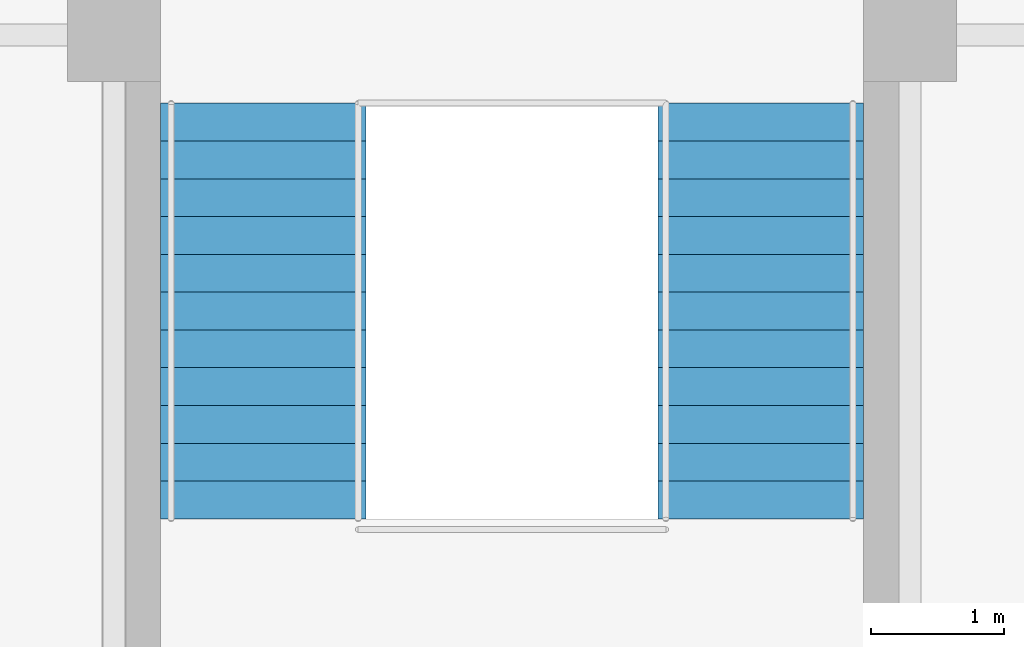
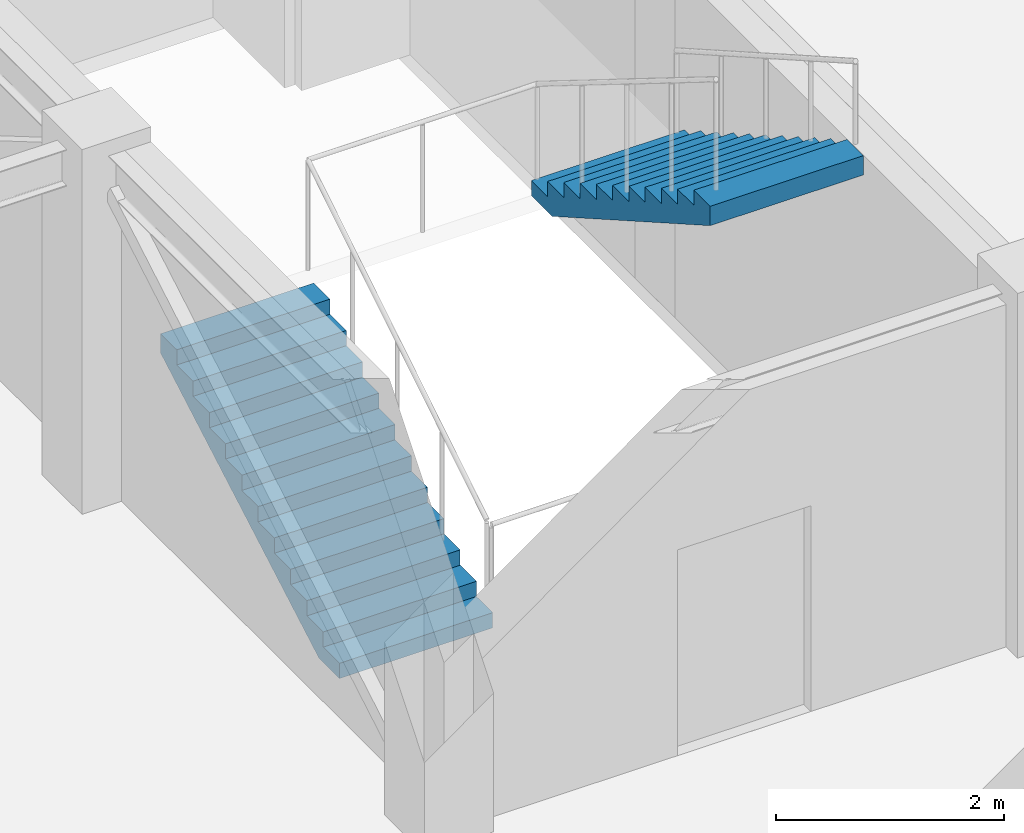
# One storey, part 12 of 13: 2 stair flights, 1 element without a shape of its own.
"""IFC4 building model written with IfcOpenShell, lengths in metres."""

from ifc_helpers import new_model, si_unit, direction, frame, origin, place, context, subcontext, project, spatial, polyline, outline, extrude, material, type_object, element, aggregate, save


model = new_model("IFC4")

# Units and contexts
model_context = context("Model", 3, precision=1e-05, world=origin(), true_north=direction((0.0, 1.0)))
body_context = subcontext(model_context, "Body", "Model", "MODEL_VIEW")
ifc_project = project(units=[si_unit("LENGTHUNIT", "METRE"), si_unit("AREAUNIT", "SQUARE_METRE"), si_unit("VOLUMEUNIT", "CUBIC_METRE"), si_unit("PLANEANGLEUNIT", "RADIAN"), si_unit("MASSUNIT", "GRAM", prefix="KILO")], contexts=[model_context])

# Site, building, storey
site_placement = place(None, origin())
site = spatial("IfcSite", under=ifc_project, at=site_placement, CompositionType="ELEMENT")
building_placement = place(site_placement, origin())
building = spatial("IfcBuilding", under=site, at=building_placement, Name="Zlatovratsky Civic Hall", CompositionType="ELEMENT")
storey_placement = place(building_placement, frame((0.0, 0.0, 44.39990234375)))
storey = spatial("IfcBuildingStorey", under=building, at=storey_placement, Name="L11", CompositionType="ELEMENT", Elevation=44.39990234375)

# Stair, stair flights
ifc_material = material(Name="Concrete C30/37 (B35)", Category="concrete")
stair_type = type_object("IfcStairType", Name="Stair_HALF_24R_1550W_04", PredefinedType="HALF_TURN_STAIR", material=ifc_material)
stair_placement = place(storey_placement, origin())
stair = element("IfcStair", 1, at=stair_placement, inside=storey, type_object=stair_type, Name="ST-031", PredefinedType="HALF_TURN_STAIR")
stair_flight_type = type_object("IfcStairFlightType", Name="StairFlight_12R_1550W_04", PredefinedType="STRAIGHT", material=ifc_material)
stair_flight_1_placement = place(storey_placement, frame((97.125, 86.35009765625, 0.0), z_axis=(0.0, 0.0, 1.0), x_axis=(0.0, 1.0, 0.0)))
stair_flight_1 = element("IfcStairFlight", 2, at=stair_flight_1_placement, type_object=stair_flight_type, Name="ST-031-F1", NumberOfRisers=12, NumberOfTreads=11, PredefinedType="STRAIGHT", RiserHeight=0.1625, TreadLength=0.285, context=body_context, shape_type="SweptSolid", body=[
    extrude(outline(polyline([(0.0, 0.0), (0.0, 0.16259765625), (0.284912109375, 0.16259765625), (0.284912109375, 0.324951171875), (0.570068359375, 0.324951171875), (0.570068359375, 0.487548828125), (0.85498046875, 0.487548828125), (0.85498046875, 0.64990234375), (1.139892578125, 0.64990234375), (1.139892578125, 0.8125), (1.425048828125, 0.8125), (1.425048828125, 0.97509765625), (1.7099609375, 0.97509765625), (1.7099609375, 1.137451171875), (1.9951171875, 1.137451171875), (1.9951171875, 1.300048828125), (2.280029296875, 1.300048828125), (2.280029296875, 1.46240234375), (2.56494140625, 1.46240234375), (2.56494140625, 1.625), (2.85009765625, 1.625), (2.85009765625, 1.78759765625), (3.135009765625, 1.78759765625), (3.135009765625, 1.949951171875), (3.135009765625, 1.580322265625), (0.36328125, 0.0), (0.0, 0.0)])), frame((0.0, 0.77490234375, 0.0), z_axis=(0.0, -1.0, 0.0), x_axis=(1.0, 0.0, 0.0)), (0.0, 0.0, 1.0), 1.550048828125),
])
stair_flight_2_placement = place(storey_placement, frame((100.875, 89.485107421875, 1.9501953125), z_axis=(0.0, 0.0, 1.0), x_axis=(0.0, -1.0, 0.0)))
stair_flight_2 = element("IfcStairFlight", 3, at=stair_flight_2_placement, type_object=stair_flight_type, Name="ST-031-F2", NumberOfRisers=12, NumberOfTreads=11, PredefinedType="STRAIGHT", RiserHeight=0.1625, TreadLength=0.285, context=body_context, shape_type="SweptSolid", body=[
    extrude(outline(polyline([(0.0, 0.0), (0.0, 0.16259765625), (0.284912109375, 0.16259765625), (0.284912109375, 0.324951171875), (0.570068359375, 0.324951171875), (0.570068359375, 0.487548828125), (0.85498046875, 0.487548828125), (0.85498046875, 0.64990234375), (1.139892578125, 0.64990234375), (1.139892578125, 0.8125), (1.425048828125, 0.8125), (1.425048828125, 0.97509765625), (1.7099609375, 0.97509765625), (1.7099609375, 1.137451171875), (1.9951171875, 1.137451171875), (1.9951171875, 1.300048828125), (2.280029296875, 1.300048828125), (2.280029296875, 1.46240234375), (2.56494140625, 1.46240234375), (2.56494140625, 1.625), (2.85009765625, 1.625), (2.85009765625, 1.78759765625), (3.135009765625, 1.78759765625), (3.135009765625, 1.949951171875), (3.135009765625, 1.580322265625), (0.36328125, 0.0), (0.0, 0.0)])), frame((0.0, 0.77490234375, 0.0), z_axis=(0.0, -1.0, 0.0), x_axis=(1.0, 0.0, 0.0)), (0.0, 0.0, 1.0), 1.550048828125),
])
aggregate(stair, [stair_flight_1, stair_flight_2])

save(model, "model.ifc")
